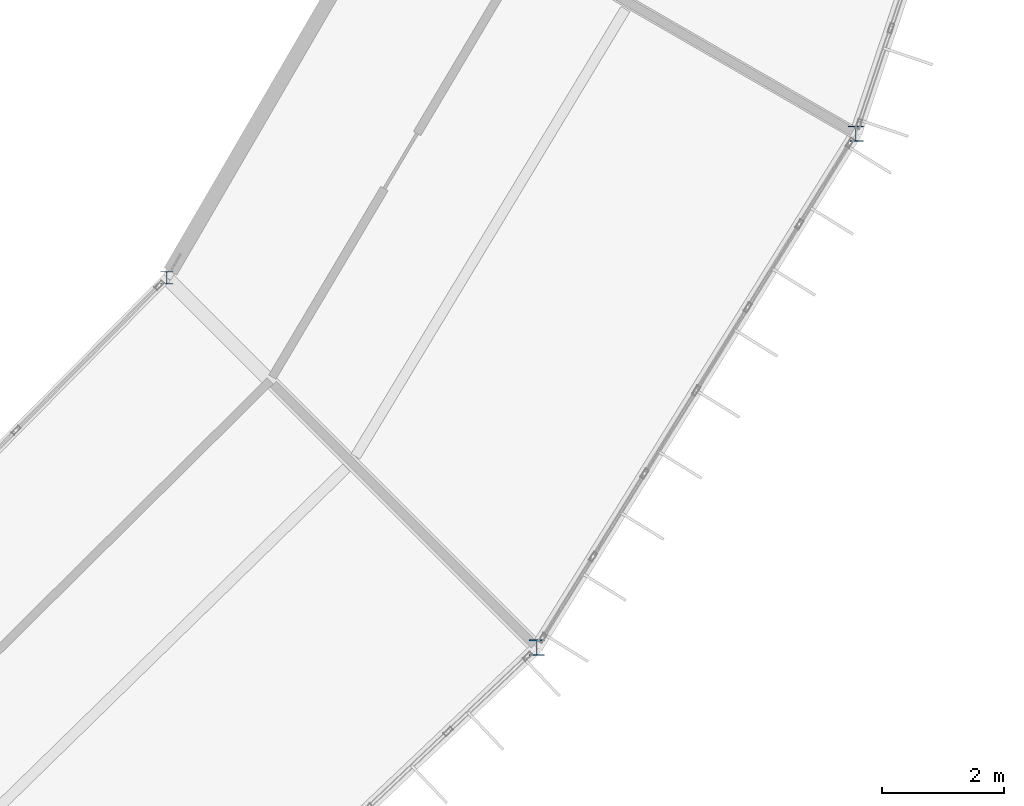
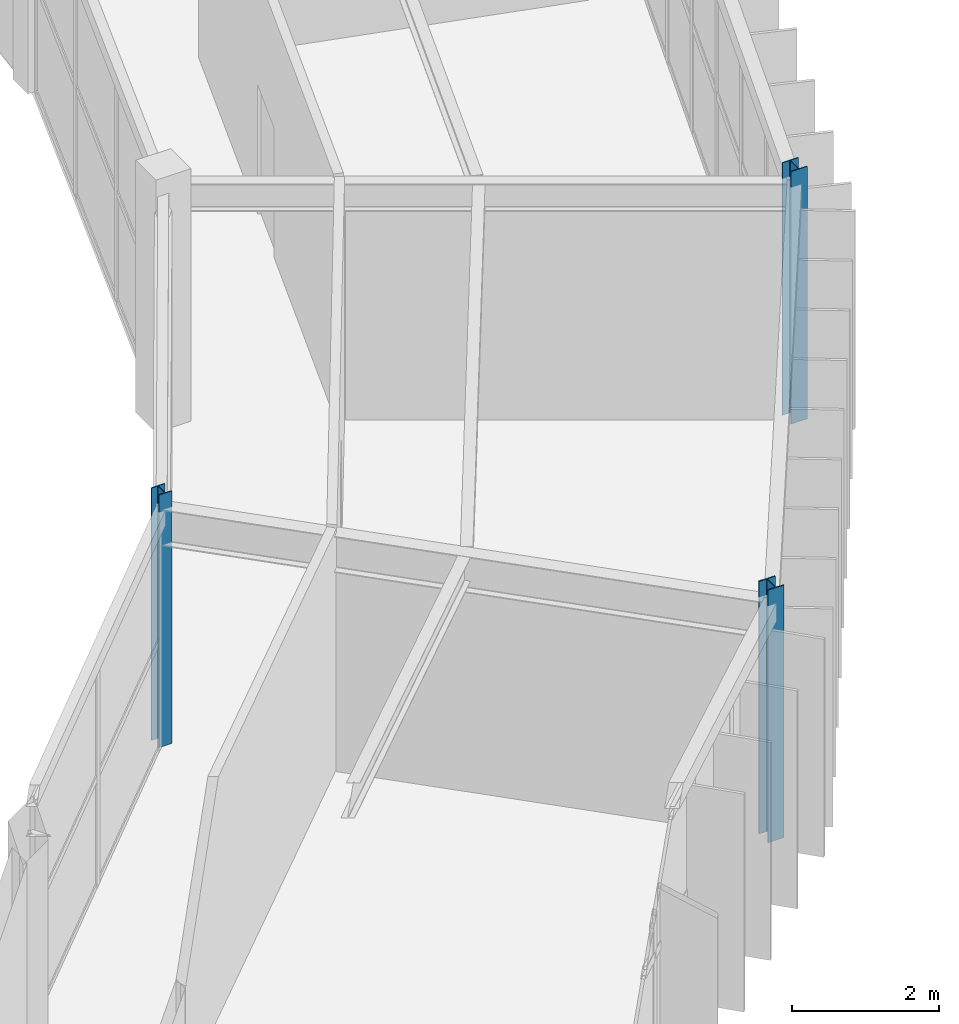
# One storey, part 9 of 130: 3 columns.
"""IFC4 building model written with IfcOpenShell, lengths in metres."""

from ifc_helpers import new_model, si_unit, direction, frame, origin, origin_2d, place, context, subcontext, project, spatial, i_section, extrude, material, material_profile, profile_set, type_object, element, save


model = new_model("IFC4")

# Units and contexts
model_context = context("Model", 3, precision=1e-05, world=origin(), true_north=direction((0.0, 1.0)))
body_context = subcontext(model_context, "Body", "Model", "MODEL_VIEW")
ifc_project = project(units=[si_unit("LENGTHUNIT", "METRE"), si_unit("AREAUNIT", "SQUARE_METRE"), si_unit("VOLUMEUNIT", "CUBIC_METRE"), si_unit("PLANEANGLEUNIT", "RADIAN"), si_unit("MASSUNIT", "GRAM", prefix="KILO")], contexts=[model_context])

# Site, building, storey
site_placement = place(None, origin())
site = spatial("IfcSite", under=ifc_project, at=site_placement, CompositionType="ELEMENT")
building_placement = place(site_placement, origin())
building = spatial("IfcBuilding", under=site, at=building_placement, Name="Karori Crest Natural Sciences Institute", CompositionType="ELEMENT")
storey_placement = place(building_placement, frame((0.0, 0.0, 17.5)))
storey = spatial("IfcBuildingStorey", under=building, at=storey_placement, Name="L04", CompositionType="ELEMENT", Elevation=17.5)

# Columns
ifc_material = material(Name="Structural steel AS/NZS 3679.1 Grade 350", Category="steel")
ifc_material_profile_1 = material_profile(ifc_material, i_section(OverallWidth=0.256103515625, OverallDepth=0.260009765625, WebThickness=0.010498046875, FlangeThickness=0.017333984375, FilletRadius=0.013916015625, at=origin_2d()), Name="250UC89.5")
ifc_profile_set_1 = profile_set([ifc_material_profile_1], Name="Structural steel AS/NZS 3679.1 Grade 350")
column_type_1 = type_object("IfcColumnType", Name="CT-06", PredefinedType="COLUMN", material=ifc_profile_set_1)
column_1_placement = place(storey_placement, frame((89.734619140625, 21.050048828125, 0.0), z_axis=(0.0, 0.0, 1.0), x_axis=(1.0, 0.0, 0.0)))
element("IfcColumn", 1, at=column_1_placement, inside=storey, type_object=column_type_1, Name="Column C-0355", PredefinedType="COLUMN", context=body_context, shape_type="SweptSolid", body=[
    extrude(i_section(OverallWidth=0.256103515625, OverallDepth=0.260009765625, WebThickness=0.010498046875, FlangeThickness=0.017333984375, FilletRadius=0.013916015625, at=origin_2d()), origin(), (0.0, 0.0, 1.0), 4.199951171875),
])
ifc_material_profile_2 = material_profile(ifc_material, i_section(OverallWidth=0.25390625, OverallDepth=0.25390625, WebThickness=0.008544921875, FlangeThickness=0.01416015625, FilletRadius=0.013916015625, at=origin_2d()), Name="250UC72.9")
ifc_profile_set_2 = profile_set([ifc_material_profile_2], Name="Structural steel AS/NZS 3679.1 Grade 350")
column_type_2 = type_object("IfcColumnType", Name="CT-07", PredefinedType="COLUMN", material=ifc_profile_set_2)
column_2_placement = place(storey_placement, frame((94.978759765625, 29.5, 0.0), z_axis=(0.0, 0.0, 1.0), x_axis=(1.0, 0.0, 0.0)))
element("IfcColumn", 2, at=column_2_placement, inside=storey, type_object=column_type_2, Name="Column C-0371", PredefinedType="COLUMN", context=body_context, shape_type="SweptSolid", body=[
    extrude(i_section(OverallWidth=0.25390625, OverallDepth=0.25390625, WebThickness=0.008544921875, FlangeThickness=0.01416015625, FilletRadius=0.013916015625, at=origin_2d()), origin(), (0.0, 0.0, 1.0), 4.199951171875),
])
ifc_material_profile_3 = material_profile(ifc_material, i_section(OverallWidth=0.205078125, OverallDepth=0.2099609375, WebThickness=0.00927734375, FlangeThickness=0.01416015625, FilletRadius=0.010986328125, at=origin_2d()), Name="200UC59.5")
ifc_profile_set_3 = profile_set([ifc_material_profile_3], Name="Structural steel AS/NZS 3679.1 Grade 350")
column_type_3 = type_object("IfcColumnType", Name="CT-08", PredefinedType="COLUMN", material=ifc_profile_set_3)
column_3_placement = place(storey_placement, frame((83.6533203125, 27.131103515625, 0.0), z_axis=(0.0, 0.0, 1.0), x_axis=(1.0, 0.0, 0.0)))
element("IfcColumn", 3, at=column_3_placement, inside=storey, type_object=column_type_3, Name="Column C-0356", PredefinedType="COLUMN", context=body_context, shape_type="SweptSolid", body=[
    extrude(i_section(OverallWidth=0.205078125, OverallDepth=0.2099609375, WebThickness=0.00927734375, FlangeThickness=0.01416015625, FilletRadius=0.010986328125, at=origin_2d()), origin(), (0.0, 0.0, 1.0), 4.199951171875),
])

save(model, "model.ifc")
